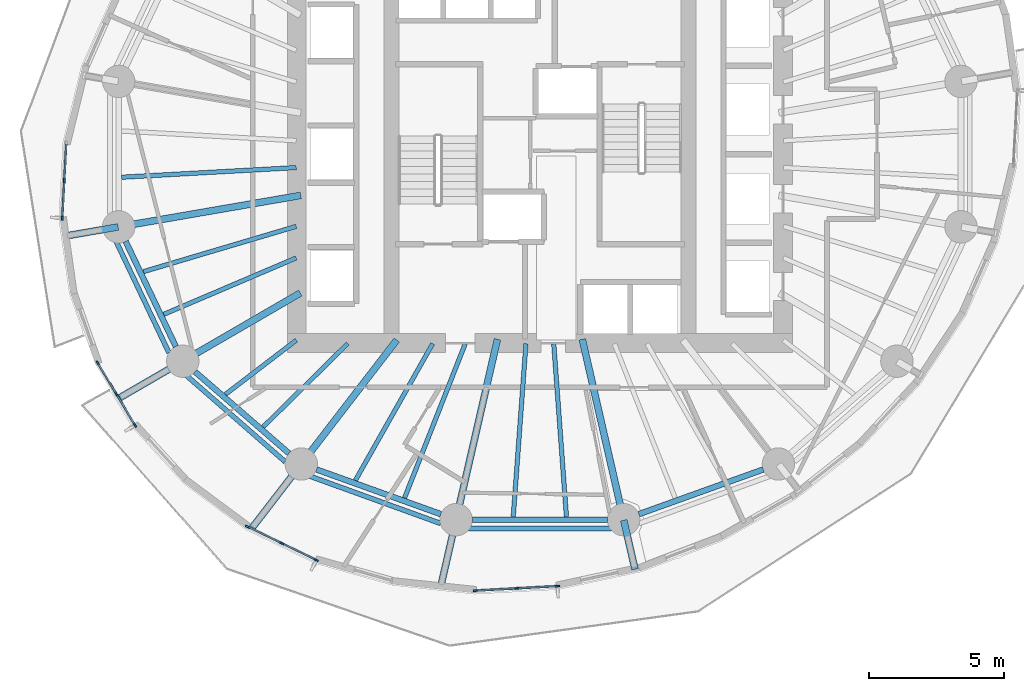
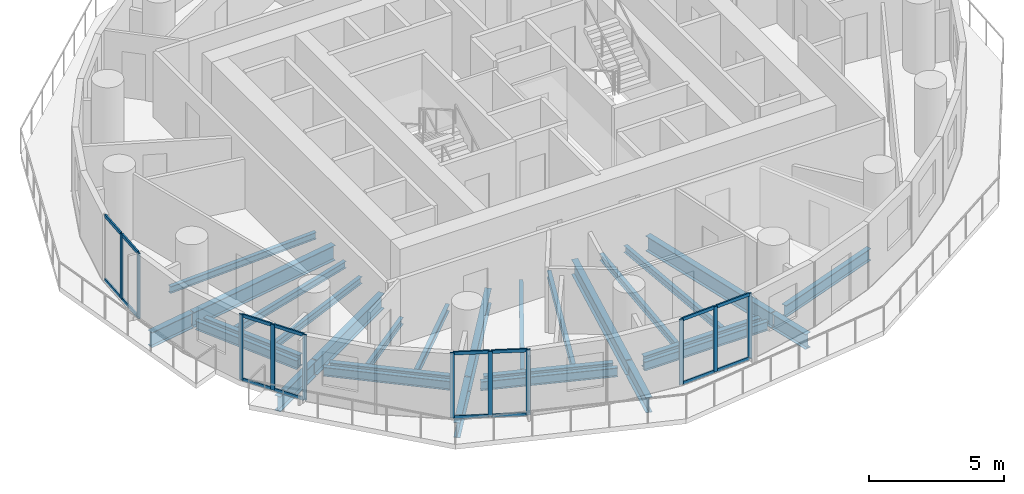
# One storey, part 2 of 15: 28 beams, 27 members, 4 elements without a shape of their own.
"""IFC4 building model written with IfcOpenShell, lengths in metres."""

from ifc_helpers import new_model, si_unit, direction, frame, origin, origin_2d, place, context, subcontext, project, spatial, rectangle, i_section, extrude, material, material_profile, profile_set, type_object, element, aggregate, save


model = new_model("IFC4")

# Units and contexts
model_context = context("Model", 3, precision=1e-05, world=origin(), true_north=direction((0.0, 1.0)))
body_context = subcontext(model_context, "Body", "Model", "MODEL_VIEW")
ifc_project = project(units=[si_unit("LENGTHUNIT", "METRE"), si_unit("AREAUNIT", "SQUARE_METRE"), si_unit("VOLUMEUNIT", "CUBIC_METRE"), si_unit("PLANEANGLEUNIT", "RADIAN"), si_unit("MASSUNIT", "GRAM", prefix="KILO")], contexts=[model_context])

# Site, building, storey
site_placement = place(None, origin())
site = spatial("IfcSite", under=ifc_project, at=site_placement, CompositionType="ELEMENT")
building_placement = place(site_placement, origin())
building = spatial("IfcBuilding", under=site, at=building_placement, Name="Veldorim Arch Residences", CompositionType="ELEMENT")
storey_placement = place(building_placement, frame((0.0, 0.0, 102.8798828125)))
storey = spatial("IfcBuildingStorey", under=building, at=storey_placement, Name="L30", CompositionType="ELEMENT", Elevation=102.8798828125)

# Beams
ifc_material_1 = material(Name="Steel S355", Category="steel")
ifc_material_profile_1 = material_profile(ifc_material_1, i_section(OverallWidth=0.2119140625, OverallDepth=0.54443359375, WebThickness=0.0126953125, FlangeThickness=0.021240234375, at=origin_2d()), Name="UB533x210x122")
ifc_profile_set_1 = profile_set([ifc_material_profile_1], Name="Steel S355")
beam_type_1 = type_object("IfcBeamType", Name="Structural Steel Beam UB533x210x122", PredefinedType="BEAM", material=ifc_profile_set_1)
beam_1_placement = place(storey_placement, frame((16.663818359375, 20.766357421875, -0.511962890625), z_axis=(0.430720154476, -0.902485539235, 0.0), x_axis=(0.902485539235, 0.430720154476, 0.0)))
element("IfcBeam", 1, at=beam_1_placement, inside=storey, type_object=beam_type_1, Name="L30 perimeter ring tie beam 09", PredefinedType="BEAM", context=body_context, shape_type="SweptSolid", body=[
    extrude(i_section(OverallWidth=0.2119140625, OverallDepth=0.54443359375, WebThickness=0.0126953125, FlangeThickness=0.021240234375, at=origin_2d()), origin(), (0.0, 0.0, 1.0), 4.312255859375),
])
beam_2_placement = place(storey_placement, frame((19.232666015625, 15.939697265625, -0.511962890625), z_axis=(0.755244952556, -0.655442645576, 0.0), x_axis=(0.655442645576, 0.755244952556, 0.0)))
element("IfcBeam", 2, at=beam_2_placement, inside=storey, type_object=beam_type_1, Name="L30 perimeter ring tie beam 10", PredefinedType="BEAM", context=body_context, shape_type="SweptSolid", body=[
    extrude(i_section(OverallWidth=0.2119140625, OverallDepth=0.54443359375, WebThickness=0.0126953125, FlangeThickness=0.021240234375, at=origin_2d()), origin(), (0.0, 0.0, 1.0), 4.608642578125),
])
beam_3_placement = place(storey_placement, frame((23.73095703125, 12.32275390625, -0.511962890625), z_axis=(0.941041944493, -0.338289903343, 0.0), x_axis=(0.338289903343, 0.941041944493, 0.0)))
element("IfcBeam", 3, at=beam_3_placement, inside=storey, type_object=beam_type_1, Name="L30 perimeter ring tie beam 11", PredefinedType="BEAM", context=body_context, shape_type="SweptSolid", body=[
    extrude(i_section(OverallWidth=0.2119140625, OverallDepth=0.54443359375, WebThickness=0.0126953125, FlangeThickness=0.021240234375, at=origin_2d()), origin(), (0.0, 0.0, 1.0), 4.890869140625),
])
beam_4_placement = place(storey_placement, frame((29.498046875, 10.465087890625, -0.511962890625), z_axis=(1.0, 0.0, 0.0), x_axis=(0.0, 1.0, 0.0)))
element("IfcBeam", 4, at=beam_4_placement, inside=storey, type_object=beam_type_1, Name="L30 perimeter ring tie beam 12", PredefinedType="BEAM", context=body_context, shape_type="SweptSolid", body=[
    extrude(i_section(OverallWidth=0.2119140625, OverallDepth=0.54443359375, WebThickness=0.0126953125, FlangeThickness=0.021240234375, at=origin_2d()), origin(), (0.0, 0.0, 1.0), 5.00390625),
])
beam_5_placement = place(storey_placement, frame((35.66650390625, 10.668212890625, -0.511962890625), z_axis=(0.941041944493, 0.338289903343, 0.0), x_axis=(-0.338289903343, 0.941041944493, 0.0)))
element("IfcBeam", 5, at=beam_5_placement, inside=storey, type_object=beam_type_1, Name="L30 perimeter ring tie beam 13", PredefinedType="BEAM", context=body_context, shape_type="SweptSolid", body=[
    extrude(i_section(OverallWidth=0.2119140625, OverallDepth=0.54443359375, WebThickness=0.0126953125, FlangeThickness=0.021240234375, at=origin_2d()), origin(), (0.0, 0.0, 1.0), 4.890869140625),
])
ifc_material_2 = material(Name="Steel S355", Category="steel")
ifc_material_profile_2 = material_profile(ifc_material_2, i_section(OverallWidth=0.25439453125, OverallDepth=0.6875, WebThickness=0.01318359375, FlangeThickness=0.02099609375, at=origin_2d()), Name="UB686x254x152")
ifc_profile_set_2 = profile_set([ifc_material_profile_2], Name="Steel S355")
beam_type_2 = type_object("IfcBeamType", Name="Structural Steel GIRDER UB686x254x152", PredefinedType="USERDEFINED", material=ifc_profile_set_2)
beam_6_placement = place(storey_placement, frame((23.147705078125, 22.4716796875, -0.58349609375), z_axis=(-0.985426622718, -0.17010106184, 0.0), x_axis=(0.17010106184, -0.985426622718, 0.0)))
element("IfcBeam", 6, at=beam_6_placement, inside=storey, type_object=beam_type_2, Name="L30 radial floor girder 09", ObjectType="GIRDER", PredefinedType="USERDEFINED", context=body_context, shape_type="SweptSolid", body=[
    extrude(i_section(OverallWidth=0.25439453125, OverallDepth=0.6875, WebThickness=0.01318359375, FlangeThickness=0.02099609375, at=origin_2d()), origin(), (0.0, 0.0, 1.0), 6.82177734375),
])
beam_7_placement = place(storey_placement, frame((16.3857421875, 21.304443359375, -0.58349609375), z_axis=(-0.985416355925, -0.170160528549, 0.0), x_axis=(0.170160528549, -0.985416355925, 0.0)))
element("IfcBeam", 7, at=beam_7_placement, inside=storey, type_object=beam_type_2, Name="L30 radial edge cantilever girder 09", ObjectType="GIRDER", PredefinedType="USERDEFINED", context=body_context, shape_type="SweptSolid", body=[
    extrude(i_section(OverallWidth=0.25439453125, OverallDepth=0.6875, WebThickness=0.01318359375, FlangeThickness=0.02099609375, at=origin_2d()), origin(), (0.0, 0.0, 1.0), 1.99853515625),
])
beam_8_placement = place(storey_placement, frame((23.1298828125, 18.85595703125, -0.58349609375), z_axis=(-0.865048957682, -0.501687453314, 0.0), x_axis=(0.501687453314, -0.865048957682, 0.0)))
element("IfcBeam", 8, at=beam_8_placement, inside=storey, type_object=beam_type_2, Name="L30 radial floor girder 10", ObjectType="GIRDER", PredefinedType="USERDEFINED", context=body_context, shape_type="SweptSolid", body=[
    extrude(i_section(OverallWidth=0.25439453125, OverallDepth=0.6875, WebThickness=0.01318359375, FlangeThickness=0.02099609375, at=origin_2d()), origin(), (0.0, 0.0, 1.0), 5.009033203125),
])
beam_9_placement = place(storey_placement, frame((18.76220703125, 16.322998046875, -0.58349609375), z_axis=(-0.865067975698, -0.501654659523, 0.0), x_axis=(0.501654659523, -0.865067975698, 0.0)))
element("IfcBeam", 9, at=beam_9_placement, inside=storey, type_object=beam_type_2, Name="L30 radial edge cantilever girder 10", ObjectType="GIRDER", PredefinedType="USERDEFINED", context=body_context, shape_type="SweptSolid", body=[
    extrude(i_section(OverallWidth=0.25439453125, OverallDepth=0.6875, WebThickness=0.01318359375, FlangeThickness=0.02099609375, at=origin_2d()), origin(), (0.0, 0.0, 1.0), 2.707275390625),
])
beam_10_placement = place(storey_placement, frame((26.702392578125, 17.118896484375, -0.58349609375), z_axis=(-0.609994628196, -0.792405548676, 0.0), x_axis=(0.792405548676, -0.609994628196, 0.0)))
element("IfcBeam", 10, at=beam_10_placement, inside=storey, type_object=beam_type_2, Name="L30 radial floor girder 11", ObjectType="GIRDER", PredefinedType="USERDEFINED", context=body_context, shape_type="SweptSolid", body=[
    extrude(i_section(OverallWidth=0.25439453125, OverallDepth=0.6875, WebThickness=0.01318359375, FlangeThickness=0.02099609375, at=origin_2d()), origin(), (0.0, 0.0, 1.0), 5.776611328125),
])
beam_11_placement = place(storey_placement, frame((23.154296875, 12.510009765625, -0.58349609375), z_axis=(-0.610006503027, -0.792396407277, 0.0), x_axis=(0.792396407277, -0.610006503027, 0.0)))
element("IfcBeam", 11, at=beam_11_placement, inside=storey, type_object=beam_type_2, Name="L30 radial edge cantilever girder 11", ObjectType="GIRDER", PredefinedType="USERDEFINED", context=body_context, shape_type="SweptSolid", body=[
    extrude(i_section(OverallWidth=0.25439453125, OverallDepth=0.6875, WebThickness=0.01318359375, FlangeThickness=0.02099609375, at=origin_2d()), origin(), (0.0, 0.0, 1.0), 2.99169921875),
])
beam_12_placement = place(storey_placement, frame((30.42919921875, 17.146240234375, -0.58349609375), z_axis=(-0.223374742148, -0.97473264261, 0.0), x_axis=(0.97473264261, -0.223374742148, 0.0)))
element("IfcBeam", 12, at=beam_12_placement, inside=storey, type_object=beam_type_2, Name="L30 radial floor girder 12", ObjectType="GIRDER", PredefinedType="USERDEFINED", context=body_context, shape_type="SweptSolid", body=[
    extrude(i_section(OverallWidth=0.25439453125, OverallDepth=0.6875, WebThickness=0.01318359375, FlangeThickness=0.02099609375, at=origin_2d()), origin(), (0.0, 0.0, 1.0), 6.834228515625),
])
beam_13_placement = place(storey_placement, frame((28.8935546875, 10.44580078125, -0.58349609375), z_axis=(-0.223351330049, -0.974738007552, 0.0), x_axis=(0.974738007552, -0.223351330049, 0.0)))
element("IfcBeam", 13, at=beam_13_placement, inside=storey, type_object=beam_type_2, Name="L30 radial edge cantilever girder 12", ObjectType="GIRDER", PredefinedType="USERDEFINED", context=body_context, shape_type="SweptSolid", body=[
    extrude(i_section(OverallWidth=0.25439453125, OverallDepth=0.6875, WebThickness=0.01318359375, FlangeThickness=0.02099609375, at=origin_2d()), origin(), (0.0, 0.0, 1.0), 2.530517578125),
])
beam_14_placement = place(storey_placement, frame((33.57080078125, 17.146240234375, -0.58349609375), z_axis=(0.223374742148, -0.97473264261, 0.0), x_axis=(0.97473264261, 0.223374742148, 0.0)))
element("IfcBeam", 14, at=beam_14_placement, inside=storey, type_object=beam_type_2, Name="L30 radial floor girder 13", ObjectType="GIRDER", PredefinedType="USERDEFINED", context=body_context, shape_type="SweptSolid", body=[
    extrude(i_section(OverallWidth=0.25439453125, OverallDepth=0.6875, WebThickness=0.01318359375, FlangeThickness=0.02099609375, at=origin_2d()), origin(), (0.0, 0.0, 1.0), 6.834228515625),
])
beam_15_placement = place(storey_placement, frame((35.1064453125, 10.44580078125, -0.58349609375), z_axis=(0.22332180692, -0.974744772007, 0.0), x_axis=(0.974744772007, 0.22332180692, 0.0)))
element("IfcBeam", 15, at=beam_15_placement, inside=storey, type_object=beam_type_2, Name="L30 radial edge cantilever girder 13", ObjectType="GIRDER", PredefinedType="USERDEFINED", context=body_context, shape_type="SweptSolid", body=[
    extrude(i_section(OverallWidth=0.25439453125, OverallDepth=0.6875, WebThickness=0.01318359375, FlangeThickness=0.02099609375, at=origin_2d()), origin(), (0.0, 0.0, 1.0), 1.8671875),
])
ifc_material_3 = material(Name="Steel S355", Category="steel")
ifc_material_profile_3 = material_profile(ifc_material_3, i_section(OverallWidth=0.165771484375, OverallDepth=0.306640625, WebThickness=0.006591796875, FlangeThickness=0.01171875, at=origin_2d()), Name="UB305x165x46")
ifc_profile_set_3 = profile_set([ifc_material_profile_3], Name="Steel S355")
beam_type_3 = type_object("IfcBeamType", Name="Structural Steel Joist UB305x165x46", PredefinedType="JOIST", material=ifc_profile_set_3)
beam_16_placement = place(storey_placement, frame((22.97998046875, 23.501708984375, -0.39306640625), z_axis=(-0.99847713097, -0.055167190702, 0.0), x_axis=(0.055167190702, -0.99847713097, 0.0)))
element("IfcBeam", 16, at=beam_16_placement, inside=storey, type_object=beam_type_3, Name="L30 secondary radial floor joist 08-2", PredefinedType="JOIST", context=body_context, shape_type="SweptSolid", body=[
    extrude(i_section(OverallWidth=0.165771484375, OverallDepth=0.306640625, WebThickness=0.006591796875, FlangeThickness=0.01171875, at=origin_2d()), origin(), (0.0, 0.0, 1.0), 6.474365234375),
])
beam_17_placement = place(storey_placement, frame((22.980712890625, 21.326416015625, -0.39306640625), z_axis=(-0.958753061488, -0.284240333324, 0.0), x_axis=(0.284240333324, -0.958753061488, 0.0)))
element("IfcBeam", 17, at=beam_17_placement, inside=storey, type_object=beam_type_3, Name="L30 secondary radial floor joist 09-1", PredefinedType="JOIST", context=body_context, shape_type="SweptSolid", body=[
    extrude(i_section(OverallWidth=0.165771484375, OverallDepth=0.306640625, WebThickness=0.006591796875, FlangeThickness=0.01171875, at=origin_2d()), origin(), (0.0, 0.0, 1.0), 5.906005859375),
])
beam_18_placement = place(storey_placement, frame((22.981689453125, 20.158447265625, -0.39306640625), z_axis=(-0.919997395122, -0.391924473552, 0.0), x_axis=(0.391924473552, -0.919997395122, 0.0)))
element("IfcBeam", 18, at=beam_18_placement, inside=storey, type_object=beam_type_3, Name="L30 secondary radial floor joist 09-2", PredefinedType="JOIST", context=body_context, shape_type="SweptSolid", body=[
    extrude(i_section(OverallWidth=0.165771484375, OverallDepth=0.306640625, WebThickness=0.006591796875, FlangeThickness=0.01171875, at=origin_2d()), origin(), (0.0, 0.0, 1.0), 5.334716796875),
])
beam_19_placement = place(storey_placement, frame((22.984130859375, 17.111572265625, -0.39306640625), z_axis=(-0.794594763594, -0.60714014994, 0.0), x_axis=(0.60714014994, -0.794594763594, 0.0)))
element("IfcBeam", 19, at=beam_19_placement, inside=storey, type_object=beam_type_3, Name="L30 secondary radial floor joist 10-1", PredefinedType="JOIST", context=body_context, shape_type="SweptSolid", body=[
    extrude(i_section(OverallWidth=0.165771484375, OverallDepth=0.306640625, WebThickness=0.006591796875, FlangeThickness=0.01171875, at=origin_2d()), origin(), (0.0, 0.0, 1.0), 3.30419921875),
])
beam_20_placement = place(storey_placement, frame((24.885986328125, 16.986083984375, -0.39306640625), z_axis=(-0.712111629941, -0.702066255066, 0.0), x_axis=(0.702066255066, -0.712111629941, 0.0)))
element("IfcBeam", 20, at=beam_20_placement, inside=storey, type_object=beam_type_3, Name="L30 secondary radial floor joist 10-2", PredefinedType="JOIST", context=body_context, shape_type="SweptSolid", body=[
    extrude(i_section(OverallWidth=0.165771484375, OverallDepth=0.306640625, WebThickness=0.006591796875, FlangeThickness=0.01171875, at=origin_2d()), origin(), (0.0, 0.0, 1.0), 4.39892578125),
])
beam_21_placement = place(storey_placement, frame((28.03173828125, 16.982666015625, -0.39306640625), z_axis=(-0.492227411199, -0.870466642476, 0.0), x_axis=(0.870466642476, -0.492227411199, 0.0)))
element("IfcBeam", 21, at=beam_21_placement, inside=storey, type_object=beam_type_3, Name="L30 secondary radial floor joist 11-1", PredefinedType="JOIST", context=body_context, shape_type="SweptSolid", body=[
    extrude(i_section(OverallWidth=0.165771484375, OverallDepth=0.306640625, WebThickness=0.006591796875, FlangeThickness=0.01171875, at=origin_2d()), origin(), (0.0, 0.0, 1.0), 5.81494140625),
])
beam_22_placement = place(storey_placement, frame((29.238037109375, 16.9814453125, -0.39306640625), z_axis=(-0.366194870364, -0.930538186707, 0.0), x_axis=(0.930538186707, -0.366194870364, 0.0)))
element("IfcBeam", 22, at=beam_22_placement, inside=storey, type_object=beam_type_3, Name="L30 secondary radial floor joist 11-2", PredefinedType="JOIST", context=body_context, shape_type="SweptSolid", body=[
    extrude(i_section(OverallWidth=0.165771484375, OverallDepth=0.306640625, WebThickness=0.006591796875, FlangeThickness=0.01171875, at=origin_2d()), origin(), (0.0, 0.0, 1.0), 6.1396484375),
])
for number, where, z_axis, x_axis, name in (
    (23, (31.485107421875, 16.97998046875, -0.39306640625), (-0.073143494169, -0.997321427254, 0.0), (0.997321427254, -0.073143494169, 0.0), "L30 secondary radial floor joist 12-1"),
    (24, (32.514892578125, 16.97998046875, -0.39306640625), (0.073143494169, -0.997321427254, 0.0), (0.997321427254, 0.073143494169, 0.0), "L30 secondary radial floor joist 12-2"),
):
    element("IfcBeam", number, at=place(storey_placement, frame(where, z_axis=z_axis, x_axis=x_axis)), inside=storey, type_object=beam_type_3, Name=name, PredefinedType="JOIST", context=body_context, shape_type="SweptSolid", body=[
        extrude(i_section(OverallWidth=0.165771484375, OverallDepth=0.306640625, WebThickness=0.006591796875, FlangeThickness=0.01171875, at=origin_2d()), origin(), (0.0, 0.0, 1.0), 6.421875),
    ])
ifc_material_4 = material(Name="Steel S355", Category="steel")
ifc_material_profile_4 = material_profile(ifc_material_4, i_section(OverallWidth=0.1787109375, OverallDepth=0.409423828125, WebThickness=0.0087890625, FlangeThickness=0.014404296875, at=origin_2d()), Name="UB406x178x67")
ifc_profile_set_4 = profile_set([ifc_material_profile_4], Name="Steel S355")
beam_type_4 = type_object("IfcBeamType", Name="Structural Steel Spandrel UB406x178x67", PredefinedType="SPANDREL", material=ifc_profile_set_4)
beam_23_placement = place(storey_placement, frame((16.306884765625, 20.774658203125, -0.464599609375), z_axis=(0.428857472204, -0.903372165021, 0.0), x_axis=(0.903372165021, 0.428857472204, 0.0)))
element("IfcBeam", 25, at=beam_23_placement, inside=storey, type_object=beam_type_4, Name="L30 perimeter chord spandrel beam 09", PredefinedType="SPANDREL", context=body_context, shape_type="SweptSolid", body=[
    extrude(i_section(OverallWidth=0.1787109375, OverallDepth=0.409423828125, WebThickness=0.0087890625, FlangeThickness=0.014404296875, at=origin_2d()), origin(), (0.0, 0.0, 1.0), 4.572021484375),
])
beam_24_placement = place(storey_placement, frame((18.891845703125, 15.8203125, -0.464599609375), z_axis=(0.753323239074, -0.65765043714, 0.0), x_axis=(0.65765043714, 0.753323239074, 0.0)))
element("IfcBeam", 26, at=beam_24_placement, inside=storey, type_object=beam_type_4, Name="L30 perimeter chord spandrel beam 10", PredefinedType="SPANDREL", context=body_context, shape_type="SweptSolid", body=[
    extrude(i_section(OverallWidth=0.1787109375, OverallDepth=0.409423828125, WebThickness=0.0087890625, FlangeThickness=0.014404296875, at=origin_2d()), origin(), (0.0, 0.0, 1.0), 4.879150390625),
])
beam_25_placement = place(storey_placement, frame((23.461669921875, 12.08447265625, -0.464599609375), z_axis=(0.940307501418, -0.340326024244, 0.0), x_axis=(0.340326024244, 0.940307501418, 0.0)))
element("IfcBeam", 27, at=beam_25_placement, inside=storey, type_object=beam_type_4, Name="L30 perimeter chord spandrel beam 11", PredefinedType="SPANDREL", context=body_context, shape_type="SweptSolid", body=[
    extrude(i_section(OverallWidth=0.1787109375, OverallDepth=0.409423828125, WebThickness=0.0087890625, FlangeThickness=0.014404296875, at=origin_2d()), origin(), (0.0, 0.0, 1.0), 5.175048828125),
])
beam_26_placement = place(storey_placement, frame((29.352294921875, 10.1435546875, -0.464599609375), z_axis=(1.0, 0.0, 0.0), x_axis=(0.0, 1.0, 0.0)))
element("IfcBeam", 28, at=beam_26_placement, inside=storey, type_object=beam_type_4, Name="L30 perimeter chord spandrel beam 12", PredefinedType="SPANDREL", context=body_context, shape_type="SweptSolid", body=[
    extrude(i_section(OverallWidth=0.1787109375, OverallDepth=0.409423828125, WebThickness=0.0087890625, FlangeThickness=0.014404296875, at=origin_2d()), origin(), (0.0, 0.0, 1.0), 5.29541015625),
])

# Curtain wall, members
ifc_material_5 = material(Name="Aluminium", Category="aluminium")
curtain_wall_type = type_object("IfcCurtainWallType", Name="Zone 2 Solar-Control Unitised Curtain Wall", PredefinedType="NOTDEFINED", material=ifc_material_5)
curtain_wall_1_placement = place(storey_placement, origin())
curtain_wall_1 = element("IfcCurtainWall", 29, at=curtain_wall_1_placement, inside=storey, type_object=curtain_wall_type, Name="L30 unitised curtain wall bay 16", PredefinedType="NOTDEFINED")
ifc_material_6 = material(Name="Aluminium", Category="aluminium")
ifc_material_profile_5 = material_profile(ifc_material_6, rectangle(XDim=0.06494140625, YDim=0.1650390625, at=origin_2d()), Name="ALU_MUL_65x165")
ifc_profile_set_5 = profile_set([ifc_material_profile_5], Name="Aluminium")
member_type_1 = type_object("IfcMemberType", Name="Zone 2 Solar-Control Unitised Curtain Wall Mullion 65x165", PredefinedType="MULLION", material=ifc_profile_set_5)
member_1_placement = place(storey_placement, frame((14.31591796875, 21.635498046875, 0.0), z_axis=(0.0, 0.0, 1.0), x_axis=(-0.998590099536, 0.053083077429, 0.0)))
member_1 = element("IfcMember", 30, at=member_1_placement, type_object=member_type_1, Name="CW-Z2 mullion 1", PredefinedType="MULLION", context=body_context, shape_type="SweptSolid", body=[
    extrude(rectangle(XDim=0.06494140625, YDim=0.1650390625, at=origin_2d()), origin(), (0.0, 0.0, 1.0), 2.960205078125),
])
member_2_placement = place(storey_placement, frame((14.389404296875, 23.017578125, 0.0), z_axis=(0.0, 0.0, 1.0), x_axis=(-0.998590099536, 0.053083077429, 0.0)))
member_2 = element("IfcMember", 31, at=member_2_placement, type_object=member_type_1, Name="CW-Z2 mullion 2", PredefinedType="MULLION", context=body_context, shape_type="SweptSolid", body=[
    extrude(rectangle(XDim=0.06494140625, YDim=0.1650390625, at=origin_2d()), origin(), (0.0, 0.0, 1.0), 2.960205078125),
])

curtain_wall_2_placement = place(storey_placement, origin())
curtain_wall_2 = element("IfcCurtainWall", 32, at=curtain_wall_2_placement, inside=storey, type_object=curtain_wall_type, Name="L30 unitised curtain wall bay 19", PredefinedType="NOTDEFINED")
member_3_placement = place(storey_placement, frame((17.010986328125, 13.960205078125, 0.0), z_axis=(0.0, 0.0, 1.0), x_axis=(-0.85756971039, -0.514367759315, 0.0)))
member_3 = element("IfcMember", 33, at=member_3_placement, type_object=member_type_1, Name="CW-Z2 mullion 1", PredefinedType="MULLION", context=body_context, shape_type="SweptSolid", body=[
    extrude(rectangle(XDim=0.06494140625, YDim=0.1650390625, at=origin_2d()), origin(), (0.0, 0.0, 1.0), 2.960205078125),
])
member_4_placement = place(storey_placement, frame((16.318603515625, 15.11474609375, 0.0), z_axis=(0.0, 0.0, 1.0), x_axis=(-0.85756971039, -0.514367759315, 0.0)))
member_4 = element("IfcMember", 34, at=member_4_placement, type_object=member_type_1, Name="CW-Z2 mullion 2", PredefinedType="MULLION", context=body_context, shape_type="SweptSolid", body=[
    extrude(rectangle(XDim=0.06494140625, YDim=0.1650390625, at=origin_2d()), origin(), (0.0, 0.0, 1.0), 2.960205078125),
])
member_5_placement = place(storey_placement, frame((15.6259765625, 16.269287109375, 0.0), z_axis=(0.0, 0.0, 1.0), x_axis=(-0.85756971039, -0.514367759315, 0.0)))
member_5 = element("IfcMember", 35, at=member_5_placement, type_object=member_type_1, Name="CW-Z2 mullion 3", PredefinedType="MULLION", context=body_context, shape_type="SweptSolid", body=[
    extrude(rectangle(XDim=0.06494140625, YDim=0.1650390625, at=origin_2d()), origin(), (0.0, 0.0, 1.0), 2.960205078125),
])

curtain_wall_3_placement = place(storey_placement, origin())
curtain_wall_3 = element("IfcCurtainWall", 36, at=curtain_wall_3_placement, inside=storey, type_object=curtain_wall_type, Name="L30 unitised curtain wall bay 22", PredefinedType="NOTDEFINED")
member_6_placement = place(storey_placement, frame((23.71923828125, 8.969482421875, 0.0), z_axis=(0.0, 0.0, 1.0), x_axis=(-0.436999671959, -0.899461664946, 0.0)))
member_6 = element("IfcMember", 37, at=member_6_placement, type_object=member_type_1, Name="CW-Z2 mullion 1", PredefinedType="MULLION", context=body_context, shape_type="SweptSolid", body=[
    extrude(rectangle(XDim=0.06494140625, YDim=0.1650390625, at=origin_2d()), origin(), (0.0, 0.0, 1.0), 2.960205078125),
])
member_7_placement = place(storey_placement, frame((22.44482421875, 9.588623046875, 0.0), z_axis=(0.0, 0.0, 1.0), x_axis=(-0.436999671959, -0.899461664946, 0.0)))
member_7 = element("IfcMember", 38, at=member_7_placement, type_object=member_type_1, Name="CW-Z2 mullion 2", PredefinedType="MULLION", context=body_context, shape_type="SweptSolid", body=[
    extrude(rectangle(XDim=0.06494140625, YDim=0.1650390625, at=origin_2d()), origin(), (0.0, 0.0, 1.0), 2.960205078125),
])
member_8_placement = place(storey_placement, frame((21.170654296875, 10.207763671875, 0.0), z_axis=(0.0, 0.0, 1.0), x_axis=(-0.436999671959, -0.899461664946, 0.0)))
member_8 = element("IfcMember", 39, at=member_8_placement, type_object=member_type_1, Name="CW-Z2 mullion 3", PredefinedType="MULLION", context=body_context, shape_type="SweptSolid", body=[
    extrude(rectangle(XDim=0.06494140625, YDim=0.1650390625, at=origin_2d()), origin(), (0.0, 0.0, 1.0), 2.960205078125),
])

curtain_wall_4_placement = place(storey_placement, origin())
curtain_wall_4 = element("IfcCurtainWall", 40, at=curtain_wall_4_placement, inside=storey, type_object=curtain_wall_type, Name="L30 unitised curtain wall bay 25", PredefinedType="NOTDEFINED")
member_9_placement = place(storey_placement, frame((32.65185546875, 8.003662109375, 0.0), z_axis=(0.0, 0.0, 1.0), x_axis=(0.055127201045, -0.998479339649, 0.0)))
member_9 = element("IfcMember", 41, at=member_9_placement, type_object=member_type_1, Name="CW-Z2 mullion 1", PredefinedType="MULLION", context=body_context, shape_type="SweptSolid", body=[
    extrude(rectangle(XDim=0.06494140625, YDim=0.1650390625, at=origin_2d()), origin(), (0.0, 0.0, 1.0), 2.960205078125),
])
member_10_placement = place(storey_placement, frame((31.1357421875, 7.919921875, 0.0), z_axis=(0.0, 0.0, 1.0), x_axis=(0.055127201045, -0.998479339649, 0.0)))
member_10 = element("IfcMember", 42, at=member_10_placement, type_object=member_type_1, Name="CW-Z2 mullion 2", PredefinedType="MULLION", context=body_context, shape_type="SweptSolid", body=[
    extrude(rectangle(XDim=0.06494140625, YDim=0.1650390625, at=origin_2d()), origin(), (0.0, 0.0, 1.0), 2.960205078125),
])
member_11_placement = place(storey_placement, frame((29.61962890625, 7.836181640625, 0.0), z_axis=(0.0, 0.0, 1.0), x_axis=(0.055127201045, -0.998479339649, 0.0)))
member_11 = element("IfcMember", 43, at=member_11_placement, type_object=member_type_1, Name="CW-Z2 mullion 3", PredefinedType="MULLION", context=body_context, shape_type="SweptSolid", body=[
    extrude(rectangle(XDim=0.06494140625, YDim=0.1650390625, at=origin_2d()), origin(), (0.0, 0.0, 1.0), 2.960205078125),
])

# Member
ifc_material_7 = material(Name="Aluminium", Category="aluminium")
ifc_material_profile_6 = material_profile(ifc_material_7, rectangle(XDim=0.06494140625, YDim=0.14501953125, at=origin_2d()), Name="ALU_TRN_65x145")
ifc_profile_set_6 = profile_set([ifc_material_profile_6], Name="Aluminium")
member_type_2 = type_object("IfcMemberType", Name="Zone 2 Solar-Control Unitised Curtain Wall Transom 65x145", PredefinedType="USERDEFINED", material=ifc_profile_set_6)
member_12_placement = place(storey_placement, frame((14.31787109375, 21.66796875, 0.03271484375), z_axis=(0.052937715551, 0.998597816076, 0.0), x_axis=(-0.998597816076, 0.052937715551, 0.0)))
member_12 = element("IfcMember", 44, at=member_12_placement, type_object=member_type_2, Name="CW-Z2 transom 1.1", ObjectType="TRANSOM", PredefinedType="USERDEFINED", context=body_context, shape_type="SweptSolid", body=[
    extrude(rectangle(XDim=0.06494140625, YDim=0.14501953125, at=origin_2d()), origin(), (0.0, 0.0, 1.0), 1.319091796875),
])

member_13_placement = place(storey_placement, frame((14.31787109375, 21.66796875, 2.927734375), z_axis=(0.052937715551, 0.998597816076, 0.0), x_axis=(-0.998597816076, 0.052937715551, 0.0)))
member_13 = element("IfcMember", 45, at=member_13_placement, type_object=member_type_2, Name="CW-Z2 transom 1.2", ObjectType="TRANSOM", PredefinedType="USERDEFINED", context=body_context, shape_type="SweptSolid", body=[
    extrude(rectangle(XDim=0.06494140625, YDim=0.14501953125, at=origin_2d()), origin(), (0.0, 0.0, 1.0), 1.319091796875),
])

member_14_placement = place(storey_placement, frame((14.39111328125, 23.050048828125, 0.03271484375), z_axis=(0.053112474047, 0.998588536436, 0.0), x_axis=(-0.998588536436, 0.053112474047, 0.0)))
member_14 = element("IfcMember", 46, at=member_14_placement, type_object=member_type_2, Name="CW-Z2 transom 2.1", ObjectType="TRANSOM", PredefinedType="USERDEFINED", context=body_context, shape_type="SweptSolid", body=[
    extrude(rectangle(XDim=0.06494140625, YDim=0.14501953125, at=origin_2d()), origin(), (0.0, 0.0, 1.0), 1.3193359375),
])

member_15_placement = place(storey_placement, frame((14.39111328125, 23.050048828125, 2.927734375), z_axis=(0.053112474047, 0.998588536436, 0.0), x_axis=(-0.998588536436, 0.053112474047, 0.0)))
member_15 = element("IfcMember", 47, at=member_15_placement, type_object=member_type_2, Name="CW-Z2 transom 2.2", ObjectType="TRANSOM", PredefinedType="USERDEFINED", context=body_context, shape_type="SweptSolid", body=[
    extrude(rectangle(XDim=0.06494140625, YDim=0.14501953125, at=origin_2d()), origin(), (0.0, 0.0, 1.0), 1.3193359375),
])

aggregate(curtain_wall_1, [member_1, member_2, member_12, member_13, member_14, member_15])

member_16_placement = place(storey_placement, frame((16.994384765625, 13.988037109375, 0.03271484375), z_axis=(-0.514411698757, 0.857543354112, 0.0), x_axis=(-0.857543354112, -0.514411698757, 0.0)))
member_16 = element("IfcMember", 48, at=member_16_placement, type_object=member_type_2, Name="CW-Z2 transom 1.1", ObjectType="TRANSOM", PredefinedType="USERDEFINED", context=body_context, shape_type="SweptSolid", body=[
    extrude(rectangle(XDim=0.06494140625, YDim=0.14501953125, at=origin_2d()), origin(), (0.0, 0.0, 1.0), 1.281494140625),
])

member_17_placement = place(storey_placement, frame((16.994384765625, 13.988037109375, 2.927734375), z_axis=(-0.514411698757, 0.857543354112, 0.0), x_axis=(-0.857543354112, -0.514411698757, 0.0)))
member_17 = element("IfcMember", 49, at=member_17_placement, type_object=member_type_2, Name="CW-Z2 transom 1.2", ObjectType="TRANSOM", PredefinedType="USERDEFINED", context=body_context, shape_type="SweptSolid", body=[
    extrude(rectangle(XDim=0.06494140625, YDim=0.14501953125, at=origin_2d()), origin(), (0.0, 0.0, 1.0), 1.281494140625),
])

member_18_placement = place(storey_placement, frame((16.3017578125, 15.142578125, 0.03271484375), z_axis=(-0.514271571349, 0.85762739631, 0.0), x_axis=(-0.85762739631, -0.514271571349, 0.0)))
member_18 = element("IfcMember", 50, at=member_18_placement, type_object=member_type_2, Name="CW-Z2 transom 2.1", ObjectType="TRANSOM", PredefinedType="USERDEFINED", context=body_context, shape_type="SweptSolid", body=[
    extrude(rectangle(XDim=0.06494140625, YDim=0.14501953125, at=origin_2d()), origin(), (0.0, 0.0, 1.0), 1.28125),
])

member_19_placement = place(storey_placement, frame((16.3017578125, 15.142578125, 2.927734375), z_axis=(-0.514271571349, 0.85762739631, 0.0), x_axis=(-0.85762739631, -0.514271571349, 0.0)))
member_19 = element("IfcMember", 51, at=member_19_placement, type_object=member_type_2, Name="CW-Z2 transom 2.2", ObjectType="TRANSOM", PredefinedType="USERDEFINED", context=body_context, shape_type="SweptSolid", body=[
    extrude(rectangle(XDim=0.06494140625, YDim=0.14501953125, at=origin_2d()), origin(), (0.0, 0.0, 1.0), 1.28125),
])

aggregate(curtain_wall_2, [member_3, member_4, member_5, member_16, member_17, member_18, member_19])

member_20_placement = place(storey_placement, frame((23.68994140625, 8.983642578125, 0.03271484375), z_axis=(-0.899427024625, 0.437070963774, 0.0), x_axis=(-0.437070963774, -0.899427024625, 0.0)))
member_20 = element("IfcMember", 52, at=member_20_placement, type_object=member_type_2, Name="CW-Z2 transom 1.1", ObjectType="TRANSOM", PredefinedType="USERDEFINED", context=body_context, shape_type="SweptSolid", body=[
    extrude(rectangle(XDim=0.06494140625, YDim=0.14501953125, at=origin_2d()), origin(), (0.0, 0.0, 1.0), 1.351806640625),
])

member_21_placement = place(storey_placement, frame((23.68994140625, 8.983642578125, 2.927734375), z_axis=(-0.899427024625, 0.437070963774, 0.0), x_axis=(-0.437070963774, -0.899427024625, 0.0)))
member_21 = element("IfcMember", 53, at=member_21_placement, type_object=member_type_2, Name="CW-Z2 transom 1.2", ObjectType="TRANSOM", PredefinedType="USERDEFINED", context=body_context, shape_type="SweptSolid", body=[
    extrude(rectangle(XDim=0.06494140625, YDim=0.14501953125, at=origin_2d()), origin(), (0.0, 0.0, 1.0), 1.351806640625),
])

member_22_placement = place(storey_placement, frame((22.415771484375, 9.602783203125, 0.03271484375), z_axis=(-0.899427024625, 0.437070963774, 0.0), x_axis=(-0.437070963774, -0.899427024625, 0.0)))
member_22 = element("IfcMember", 54, at=member_22_placement, type_object=member_type_2, Name="CW-Z2 transom 2.1", ObjectType="TRANSOM", PredefinedType="USERDEFINED", context=body_context, shape_type="SweptSolid", body=[
    extrude(rectangle(XDim=0.06494140625, YDim=0.14501953125, at=origin_2d()), origin(), (0.0, 0.0, 1.0), 1.351806640625),
])

member_23_placement = place(storey_placement, frame((22.415771484375, 9.602783203125, 2.927734375), z_axis=(-0.899427024625, 0.437070963774, 0.0), x_axis=(-0.437070963774, -0.899427024625, 0.0)))
member_23 = element("IfcMember", 55, at=member_23_placement, type_object=member_type_2, Name="CW-Z2 transom 2.2", ObjectType="TRANSOM", PredefinedType="USERDEFINED", context=body_context, shape_type="SweptSolid", body=[
    extrude(rectangle(XDim=0.06494140625, YDim=0.14501953125, at=origin_2d()), origin(), (0.0, 0.0, 1.0), 1.351806640625),
])

aggregate(curtain_wall_3, [member_6, member_7, member_8, member_20, member_21, member_22, member_23])

member_24_placement = place(storey_placement, frame((32.619384765625, 8.001708984375, 0.03271484375), z_axis=(-0.998480958477, -0.05509787254, 0.0), x_axis=(0.05509787254, -0.998480958477, 0.0)))
member_24 = element("IfcMember", 56, at=member_24_placement, type_object=member_type_2, Name="CW-Z2 transom 1.1", ObjectType="TRANSOM", PredefinedType="USERDEFINED", context=body_context, shape_type="SweptSolid", body=[
    extrude(rectangle(XDim=0.06494140625, YDim=0.14501953125, at=origin_2d()), origin(), (0.0, 0.0, 1.0), 1.453369140625),
])

member_25_placement = place(storey_placement, frame((32.619384765625, 8.001708984375, 2.927734375), z_axis=(-0.998480958477, -0.05509787254, 0.0), x_axis=(0.05509787254, -0.998480958477, 0.0)))
member_25 = element("IfcMember", 57, at=member_25_placement, type_object=member_type_2, Name="CW-Z2 transom 1.2", ObjectType="TRANSOM", PredefinedType="USERDEFINED", context=body_context, shape_type="SweptSolid", body=[
    extrude(rectangle(XDim=0.06494140625, YDim=0.14501953125, at=origin_2d()), origin(), (0.0, 0.0, 1.0), 1.453369140625),
])

member_26_placement = place(storey_placement, frame((31.103271484375, 7.918212890625, 0.03271484375), z_axis=(-0.998471703165, -0.055265341578, 0.0), x_axis=(0.055265341578, -0.998471703165, 0.0)))
member_26 = element("IfcMember", 58, at=member_26_placement, type_object=member_type_2, Name="CW-Z2 transom 2.1", ObjectType="TRANSOM", PredefinedType="USERDEFINED", context=body_context, shape_type="SweptSolid", body=[
    extrude(rectangle(XDim=0.06494140625, YDim=0.14501953125, at=origin_2d()), origin(), (0.0, 0.0, 1.0), 1.453369140625),
])

member_27_placement = place(storey_placement, frame((31.103271484375, 7.918212890625, 2.927734375), z_axis=(-0.998471703165, -0.055265341578, 0.0), x_axis=(0.055265341578, -0.998471703165, 0.0)))
member_27 = element("IfcMember", 59, at=member_27_placement, type_object=member_type_2, Name="CW-Z2 transom 2.2", ObjectType="TRANSOM", PredefinedType="USERDEFINED", context=body_context, shape_type="SweptSolid", body=[
    extrude(rectangle(XDim=0.06494140625, YDim=0.14501953125, at=origin_2d()), origin(), (0.0, 0.0, 1.0), 1.453369140625),
])

aggregate(curtain_wall_4, [member_9, member_10, member_11, member_24, member_25, member_26, member_27])

save(model, "model.ifc")
